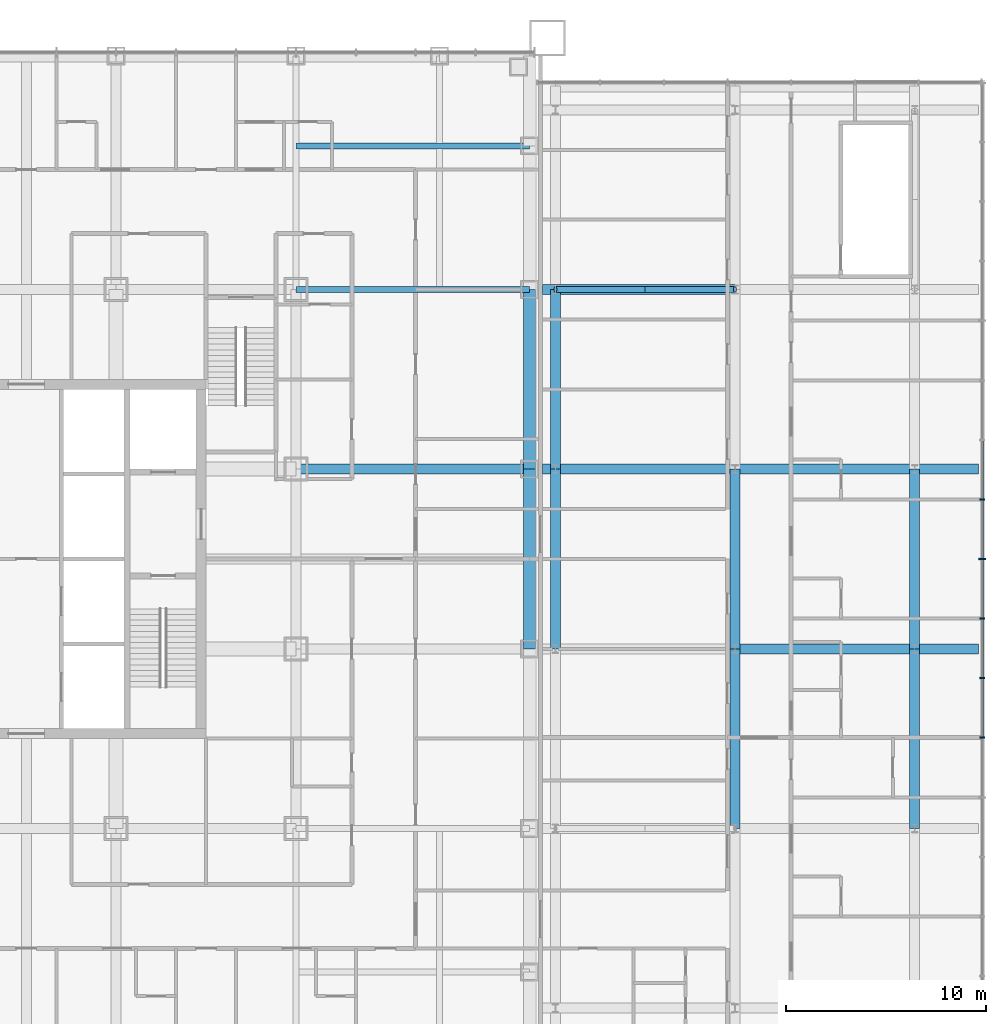
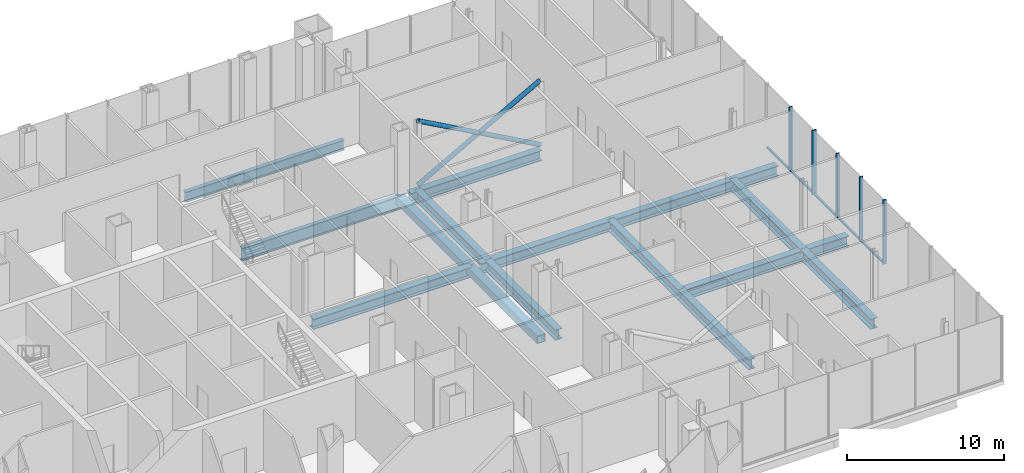
# One storey, part 11 of 28: 15 beams, 12 members, 1 element without a shape of its own.
"""IFC4 building model written with IfcOpenShell, lengths in metres."""

from ifc_helpers import new_model, si_unit, direction, frame, origin, origin_2d, place, context, subcontext, project, spatial, rectangle, hollow_rectangle, hollow_circle, i_section, extrude, material, layer, layer_set, material_profile, profile_set, type_object, element, aggregate, save


model = new_model("IFC4")

# Units and contexts
model_context = context("Model", 3, precision=1e-05, world=origin(), true_north=direction((0.0, 1.0)))
body_context = subcontext(model_context, "Body", "Model", "MODEL_VIEW")
ifc_project = project(units=[si_unit("LENGTHUNIT", "METRE"), si_unit("AREAUNIT", "SQUARE_METRE"), si_unit("VOLUMEUNIT", "CUBIC_METRE"), si_unit("PLANEANGLEUNIT", "RADIAN"), si_unit("MASSUNIT", "GRAM", prefix="KILO")], contexts=[model_context])

# Site, building, storey
site_placement = place(None, origin())
site = spatial("IfcSite", under=ifc_project, at=site_placement, CompositionType="ELEMENT")
building_placement = place(site_placement, origin())
building = spatial("IfcBuilding", under=site, at=building_placement, Name="Malebo Sky Hospital", CompositionType="ELEMENT")
storey_placement = place(building_placement, frame((0.0, 0.0, 21.0)))
storey = spatial("IfcBuildingStorey", under=building, at=storey_placement, Name="L04", CompositionType="ELEMENT", Elevation=21.0)

# Curtain wall, members
ifc_material_1 = material(Name="Anodised aluminium, natural silver", Category="aluminium")
ifc_layer = layer(ifc_material_1, 0.25)
ifc_layer_set = layer_set([ifc_layer], Name="PODIUM CURTAIN WALL")
curtain_wall_type = type_object("IfcCurtainWallType", Name="PODIUM CURTAIN WALL", PredefinedType="NOTDEFINED", material=ifc_layer_set)
curtain_wall_placement = place(storey_placement, origin())
curtain_wall = element("IfcCurtainWall", 1, at=curtain_wall_placement, inside=storey, type_object=curtain_wall_type, Name="POD curtain wall EE", PredefinedType="NOTDEFINED")
ifc_material_profile_1 = material_profile(ifc_material_1, rectangle(XDim=0.14990234375, YDim=0.10009765625, at=origin_2d()), Name="ALUMINIUM TRANSOM 150x100")
ifc_profile_set_1 = profile_set([ifc_material_profile_1], Name="Anodised aluminium, natural silver")
member_type_1 = type_object("IfcMemberType", Name="ALUMINIUM TRANSOM 150x100", PredefinedType="USERDEFINED", material=ifc_profile_set_1)
member_1_placement = place(storey_placement, frame((107.875, 53.08447265625, 0.050048828125), z_axis=(0.0, 1.0, 0.0), x_axis=(-1.0, 0.0, 0.0)))
member_1 = element("IfcMember", 2, at=member_1_placement, type_object=member_type_1, Name="Transom 6", ObjectType="TRANSOM", PredefinedType="USERDEFINED", context=body_context, shape_type="SweptSolid", body=[
    extrude(rectangle(XDim=0.14990234375, YDim=0.10009765625, at=origin_2d()), origin(), (0.0, 0.0, 1.0), 2.9091796875),
])
member_2_placement = place(storey_placement, frame((107.875, 56.068603515625, 0.050048828125), z_axis=(0.0, 1.0, 0.0), x_axis=(-1.0, 0.0, 0.0)))
member_2 = element("IfcMember", 3, at=member_2_placement, type_object=member_type_1, Name="Transom 7", ObjectType="TRANSOM", PredefinedType="USERDEFINED", context=body_context, shape_type="SweptSolid", body=[
    extrude(rectangle(XDim=0.14990234375, YDim=0.10009765625, at=origin_2d()), origin(), (0.0, 0.0, 1.0), 2.909423828125),
])
member_3_placement = place(storey_placement, frame((107.875, 59.052978515625, 0.050048828125), z_axis=(0.0, 1.0, 0.0), x_axis=(-1.0, 0.0, 0.0)))
member_3 = element("IfcMember", 4, at=member_3_placement, type_object=member_type_1, Name="Transom 8", ObjectType="TRANSOM", PredefinedType="USERDEFINED", context=body_context, shape_type="SweptSolid", body=[
    extrude(rectangle(XDim=0.14990234375, YDim=0.10009765625, at=origin_2d()), origin(), (0.0, 0.0, 1.0), 2.909423828125),
])
member_4_placement = place(storey_placement, frame((107.875, 62.03759765625, 0.050048828125), z_axis=(0.0, 1.0, 0.0), x_axis=(-1.0, 0.0, 0.0)))
member_4 = element("IfcMember", 5, at=member_4_placement, type_object=member_type_1, Name="Transom 9", ObjectType="TRANSOM", PredefinedType="USERDEFINED", context=body_context, shape_type="SweptSolid", body=[
    extrude(rectangle(XDim=0.14990234375, YDim=0.10009765625, at=origin_2d()), origin(), (0.0, 0.0, 1.0), 2.909423828125),
])
member_5_placement = place(storey_placement, frame((107.875, 65.02197265625, 0.050048828125), z_axis=(0.0, 1.0, 0.0), x_axis=(-1.0, 0.0, 0.0)))
member_5 = element("IfcMember", 6, at=member_5_placement, type_object=member_type_1, Name="Transom 10", ObjectType="TRANSOM", PredefinedType="USERDEFINED", context=body_context, shape_type="SweptSolid", body=[
    extrude(rectangle(XDim=0.14990234375, YDim=0.10009765625, at=origin_2d()), origin(), (0.0, 0.0, 1.0), 2.909423828125),
])
ifc_material_profile_2 = material_profile(ifc_material_1, rectangle(XDim=0.074951171875, YDim=0.25, at=origin_2d()), Name="CW3 ALUMINIUM FIN MULLION 75x250")
ifc_profile_set_2 = profile_set([ifc_material_profile_2], Name="Anodised aluminium, natural silver")
member_type_2 = type_object("IfcMemberType", Name="CW3 ALUMINIUM FIN MULLION 75x250", PredefinedType="MULLION", material=ifc_profile_set_2)
member_6_placement = place(storey_placement, frame((107.875, 53.046875, 0.0), z_axis=(0.0, 0.0, 1.0), x_axis=(0.0, 1.0, 0.0)))
member_6 = element("IfcMember", 7, at=member_6_placement, type_object=member_type_2, Name="Fin mullion 6", PredefinedType="MULLION", context=body_context, shape_type="SweptSolid", body=[
    extrude(rectangle(XDim=0.074951171875, YDim=0.25, at=origin_2d()), origin(), (0.0, 0.0, 1.0), 5.0),
])
member_7_placement = place(storey_placement, frame((107.875, 56.03125, 0.0), z_axis=(0.0, 0.0, 1.0), x_axis=(0.0, 1.0, 0.0)))
member_7 = element("IfcMember", 8, at=member_7_placement, type_object=member_type_2, Name="Fin mullion 7", PredefinedType="MULLION", context=body_context, shape_type="SweptSolid", body=[
    extrude(rectangle(XDim=0.074951171875, YDim=0.25, at=origin_2d()), origin(), (0.0, 0.0, 1.0), 5.0),
])
member_8_placement = place(storey_placement, frame((107.875, 59.015625, 0.0), z_axis=(0.0, 0.0, 1.0), x_axis=(0.0, 1.0, 0.0)))
member_8 = element("IfcMember", 9, at=member_8_placement, type_object=member_type_2, Name="Fin mullion 8", PredefinedType="MULLION", context=body_context, shape_type="SweptSolid", body=[
    extrude(rectangle(XDim=0.074951171875, YDim=0.25, at=origin_2d()), origin(), (0.0, 0.0, 1.0), 5.0),
])
member_9_placement = place(storey_placement, frame((107.875, 64.984375, 0.0), z_axis=(0.0, 0.0, 1.0), x_axis=(0.0, 1.0, 0.0)))
member_9 = element("IfcMember", 10, at=member_9_placement, type_object=member_type_2, Name="Fin mullion 10", PredefinedType="MULLION", context=body_context, shape_type="SweptSolid", body=[
    extrude(rectangle(XDim=0.074951171875, YDim=0.25, at=origin_2d()), origin(), (0.0, 0.0, 1.0), 5.0),
])
ifc_material_profile_3 = material_profile(ifc_material_1, rectangle(XDim=0.074951171875, YDim=0.35009765625, at=origin_2d()), Name="CW3 ALUMINIUM FIN MULLION 75x350")
ifc_profile_set_3 = profile_set([ifc_material_profile_3], Name="Anodised aluminium, natural silver")
member_type_3 = type_object("IfcMemberType", Name="CW3 ALUMINIUM FIN MULLION 75x350", PredefinedType="MULLION", material=ifc_profile_set_3)
member_10_placement = place(storey_placement, frame((107.875, 62.0, 0.0), z_axis=(0.0, 0.0, 1.0), x_axis=(0.0, 1.0, 0.0)))
member_10 = element("IfcMember", 11, at=member_10_placement, type_object=member_type_3, Name="Fin mullion 9", PredefinedType="MULLION", context=body_context, shape_type="SweptSolid", body=[
    extrude(rectangle(XDim=0.074951171875, YDim=0.35009765625, at=origin_2d()), origin(), (0.0, 0.0, 1.0), 5.0),
])
aggregate(curtain_wall, [member_6, member_7, member_8, member_10, member_9, member_1, member_2, member_3, member_4, member_5])

# Beams
ifc_material_2 = material(Name="Steel S460", Category="steel")
ifc_material_profile_4 = material_profile(ifc_material_2, hollow_rectangle(XDim=0.60009765625, YDim=0.60009765625, WallThickness=0.0400390625, at=origin_2d()), Name="BOX 600x600x40")
ifc_profile_set_4 = profile_set([ifc_material_profile_4], Name="Steel S460")
beam_type_1 = type_object("IfcBeamType", Name="EDGE BEAM BOX 600x600x40", PredefinedType="BEAM", material=ifc_profile_set_4)
for number, where, z_axis, x_axis, name in (
    (12, (85.199951171875, 57.5, -0.60009765625), (0.0, 1.0, 0.0), (-1.0, 0.0, 0.0), "Beam 034 L04"),
    (13, (85.199951171875, 66.5, -0.60009765625), (0.0, 1.0, 0.0), (-1.0, 0.0, 0.0), "Beam 035 L04"),
):
    element("IfcBeam", number, at=place(storey_placement, frame(where, z_axis=z_axis, x_axis=x_axis)), inside=storey, type_object=beam_type_1, Name=name, PredefinedType="BEAM", context=body_context, shape_type="SweptSolid", body=[
        extrude(hollow_rectangle(XDim=0.60009765625, YDim=0.60009765625, WallThickness=0.0400390625, at=origin_2d()), origin(), (0.0, 0.0, 1.0), 9.0),
    ])
ifc_material_3 = material(Name="Steel S355", Category="steel")
ifc_material_profile_5 = material_profile(ifc_material_3, i_section(OverallWidth=0.300048828125, OverallDepth=0.800048828125, WebThickness=0.017578125, FlangeThickness=0.032958984375, FilletRadius=0.030029296875, at=origin_2d()), Name="HEB 800")
ifc_profile_set_5 = profile_set([ifc_material_profile_5], Name="Steel S355")
beam_type_2 = type_object("IfcBeamType", Name="FLOOR BEAM HEB 800", PredefinedType="BEAM", material=ifc_profile_set_5)
beam_1_placement = place(storey_placement, frame((73.5, 82.699951171875, -0.699951171875), z_axis=(1.0, 0.0, 0.0), x_axis=(0.0, 1.0, 0.0)))
element("IfcBeam", 14, at=beam_1_placement, inside=storey, type_object=beam_type_2, Name="Beam 068 L04", PredefinedType="BEAM", context=body_context, shape_type="SweptSolid", body=[
    extrude(i_section(OverallWidth=0.300048828125, OverallDepth=0.800048828125, WebThickness=0.017578125, FlangeThickness=0.032958984375, FilletRadius=0.030029296875, at=origin_2d()), origin(), (0.0, 0.0, 1.0), 11.699951171875),
])
ifc_material_profile_6 = material_profile(ifc_material_3, i_section(OverallWidth=0.5, OverallDepth=0.800048828125, WebThickness=0.030029296875, FlangeThickness=0.050048828125, at=origin_2d()), Name="PG 800x500x30x50")
ifc_profile_set_6 = profile_set([ifc_material_profile_6], Name="Steel S355")
beam_type_3 = type_object("IfcBeamType", Name="FLOOR BEAM PG 800x500x30x50", PredefinedType="BEAM", material=ifc_profile_set_6)
beam_2_placement = place(storey_placement, frame((73.5, 66.5, -0.699951171875), z_axis=(1.0, 0.0, 0.0), x_axis=(0.0, 1.0, 0.0)))
element("IfcBeam", 15, at=beam_2_placement, inside=storey, type_object=beam_type_3, Name="Beam 061 L04", PredefinedType="BEAM", context=body_context, shape_type="SweptSolid", body=[
    extrude(i_section(OverallWidth=0.5, OverallDepth=0.800048828125, WebThickness=0.030029296875, FlangeThickness=0.050048828125, at=origin_2d()), origin(), (0.0, 0.0, 1.0), 11.699951171875),
])
for number, where, z_axis, x_axis, name in (
    (16, (86.5, 57.5, -0.699951171875), (0.0, 1.0, 0.0), (-1.0, 0.0, 0.0), "Beam E003 L04"),
    (17, (86.5, 66.5, -0.699951171875), (0.0, 1.0, 0.0), (-1.0, 0.0, 0.0), "Beam E004 L04"),
    (18, (95.5, 48.5, -0.699951171875), (0.0, 1.0, 0.0), (-1.0, 0.0, 0.0), "Beam E007 L04"),
    (19, (95.5, 57.5, -0.699951171875), (0.0, 1.0, 0.0), (-1.0, 0.0, 0.0), "Beam E008 L04"),
    (20, (104.5, 48.5, -0.699951171875), (0.0, 1.0, 0.0), (-1.0, 0.0, 0.0), "Beam E012 L04"),
    (21, (104.5, 57.5, -0.699951171875), (0.0, 1.0, 0.0), (-1.0, 0.0, 0.0), "Beam E013 L04"),
):
    element("IfcBeam", number, at=place(storey_placement, frame(where, z_axis=z_axis, x_axis=x_axis)), inside=storey, type_object=beam_type_3, Name=name, PredefinedType="BEAM", context=body_context, shape_type="SweptSolid", body=[
        extrude(i_section(OverallWidth=0.5, OverallDepth=0.800048828125, WebThickness=0.030029296875, FlangeThickness=0.050048828125, at=origin_2d()), origin(), (0.0, 0.0, 1.0), 9.0),
    ])
beam_3_placement = place(storey_placement, frame((95.5, 57.5, -0.699951171875), z_axis=(1.0, 0.0, 0.0), x_axis=(0.0, 1.0, 0.0)))
element("IfcBeam", 22, at=beam_3_placement, inside=storey, type_object=beam_type_3, Name="Beam E021 L04", PredefinedType="BEAM", context=body_context, shape_type="SweptSolid", body=[
    extrude(i_section(OverallWidth=0.5, OverallDepth=0.800048828125, WebThickness=0.030029296875, FlangeThickness=0.050048828125, at=origin_2d()), origin(), (0.0, 0.0, 1.0), 12.199951171875),
])
beam_4_placement = place(storey_placement, frame((85.85009765625, 66.5, -0.699951171875), z_axis=(1.0, 0.0, 0.0), x_axis=(0.0, 1.0, 0.0)))
element("IfcBeam", 23, at=beam_4_placement, inside=storey, type_object=beam_type_3, Name="Beam E022 L04", PredefinedType="BEAM", context=body_context, shape_type="SweptSolid", body=[
    extrude(i_section(OverallWidth=0.5, OverallDepth=0.800048828125, WebThickness=0.030029296875, FlangeThickness=0.050048828125, at=origin_2d()), origin(), (0.0, 0.0, 1.0), 9.64990234375),
])
beam_5_placement = place(storey_placement, frame((95.5, 66.5, -0.699951171875), z_axis=(1.0, 0.0, 0.0), x_axis=(0.0, 1.0, 0.0)))
element("IfcBeam", 24, at=beam_5_placement, inside=storey, type_object=beam_type_3, Name="Beam E023 L04", PredefinedType="BEAM", context=body_context, shape_type="SweptSolid", body=[
    extrude(i_section(OverallWidth=0.5, OverallDepth=0.800048828125, WebThickness=0.030029296875, FlangeThickness=0.050048828125, at=origin_2d()), origin(), (0.0, 0.0, 1.0), 12.199951171875),
])
beam_6_placement = place(storey_placement, frame((85.85009765625, 75.5, -0.699951171875), z_axis=(1.0, 0.0, 0.0), x_axis=(0.0, 1.0, 0.0)))
element("IfcBeam", 25, at=beam_6_placement, inside=storey, type_object=beam_type_3, Name="Beam E024 L04", PredefinedType="BEAM", context=body_context, shape_type="SweptSolid", body=[
    extrude(i_section(OverallWidth=0.5, OverallDepth=0.800048828125, WebThickness=0.030029296875, FlangeThickness=0.050048828125, at=origin_2d()), origin(), (0.0, 0.0, 1.0), 9.64990234375),
])
ifc_material_profile_7 = material_profile(ifc_material_3, i_section(OverallWidth=0.300048828125, OverallDepth=1.0, WebThickness=0.01904296875, FlangeThickness=0.035888671875, FilletRadius=0.030029296875, at=origin_2d()), Name="HEB 1000")
ifc_profile_set_7 = profile_set([ifc_material_profile_7], Name="Steel S355")
beam_type_4 = type_object("IfcBeamType", Name="FLOOR GIRDER HEB 1000", PredefinedType="BEAM", material=ifc_profile_set_7)
beam_7_placement = place(storey_placement, frame((73.5, 75.5, -0.800048828125), z_axis=(1.0, 0.0, 0.0), x_axis=(0.0, 1.0, 0.0)))
element("IfcBeam", 26, at=beam_7_placement, inside=storey, type_object=beam_type_4, Name="Beam 066 L04", PredefinedType="BEAM", context=body_context, shape_type="SweptSolid", body=[
    extrude(i_section(OverallWidth=0.300048828125, OverallDepth=1.0, WebThickness=0.01904296875, FlangeThickness=0.035888671875, FilletRadius=0.030029296875, at=origin_2d()), origin(), (0.0, 0.0, 1.0), 11.699951171875),
])

# Members
ifc_material_profile_8 = material_profile(ifc_material_2, hollow_circle(Radius=0.161865234375, WallThickness=0.012451171875, at=origin_2d()), Name="CHS 323.9x12.5")
ifc_profile_set_8 = profile_set([ifc_material_profile_8], Name="Steel S460")
member_type_4 = type_object("IfcMemberType", Name="WING BRACE CHS 323.9x12.5", PredefinedType="BRACE", material=ifc_profile_set_8)
for number, where, z_axis, x_axis, name in (
    (27, (86.5, 75.5, 0.0), (0.874157276122, 0.0, 0.485642931179), (0.0, 1.0, 0.0), "Wing brace E3.1 L04"),
    (28, (95.5, 75.5, 0.0), (-0.874157276122, 0.0, 0.485642931179), (0.0, -1.0, 0.0), "Wing brace E3.2 L04"),
):
    element("IfcMember", number, at=place(storey_placement, frame(where, z_axis=z_axis, x_axis=x_axis)), inside=storey, type_object=member_type_4, Name=name, PredefinedType="BRACE", context=body_context, shape_type="SweptSolid", body=[
        extrude(hollow_circle(Radius=0.161865234375, WallThickness=0.012451171875, at=origin_2d()), origin(), (0.0, 0.0, 1.0), 10.295654296875),
    ])

save(model, "model.ifc")
